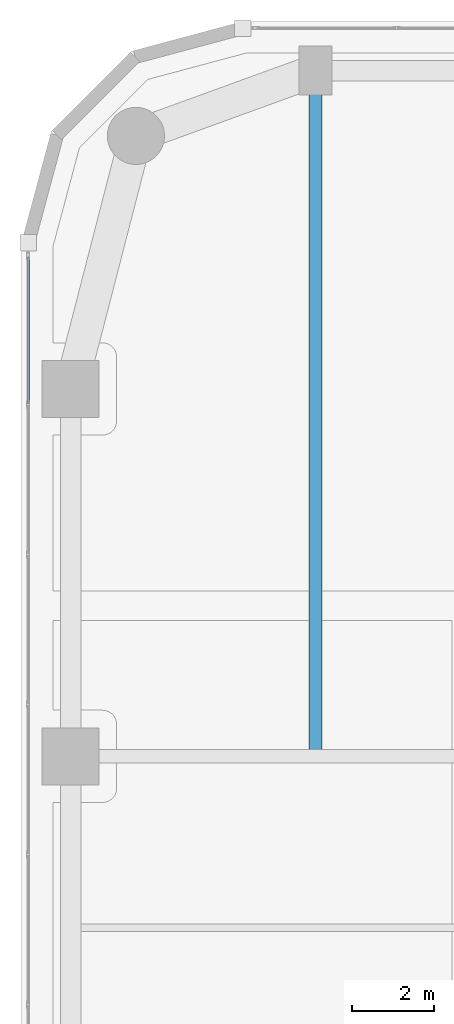
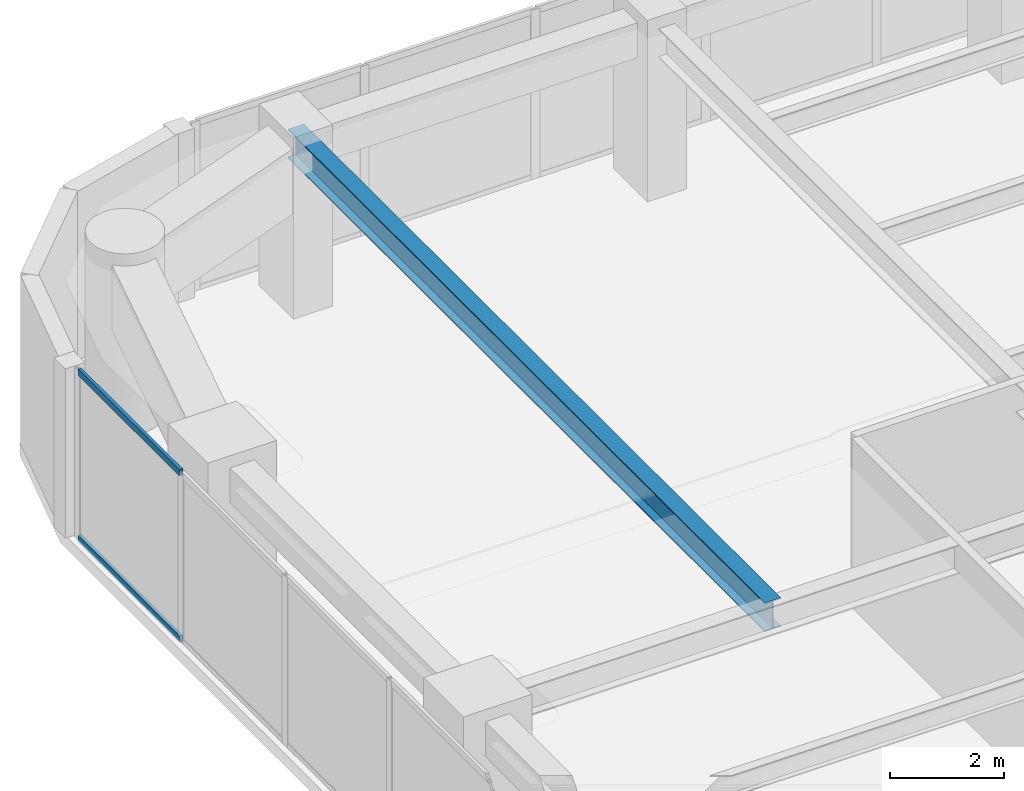
# One storey, part 10 of 24: 2 members, 1 beam, 1 element without a shape of its own.
"""IFC4 building model written with IfcOpenShell, lengths in metres."""

from ifc_helpers import new_model, si_unit, direction, frame, origin, origin_2d, place, context, subcontext, project, spatial, hollow_rectangle, i_section, extrude, material, layer, layer_set, material_profile, profile_set, type_object, element, aggregate, save


model = new_model("IFC4")

# Units and contexts
model_context = context("Model", 3, precision=1e-05, world=origin(), true_north=direction((0.0, 1.0)))
body_context = subcontext(model_context, "Body", "Model", "MODEL_VIEW")
ifc_project = project(units=[si_unit("LENGTHUNIT", "METRE"), si_unit("AREAUNIT", "SQUARE_METRE"), si_unit("VOLUMEUNIT", "CUBIC_METRE"), si_unit("PLANEANGLEUNIT", "RADIAN"), si_unit("MASSUNIT", "GRAM", prefix="KILO")], contexts=[model_context])

# Site, building, storey
site_placement = place(None, origin())
site = spatial("IfcSite", under=ifc_project, at=site_placement, CompositionType="ELEMENT")
building_placement = place(site_placement, origin())
building = spatial("IfcBuilding", under=site, at=building_placement, Name="Kiyonajd Concourse Tower", CompositionType="ELEMENT")
storey_placement = place(building_placement, frame((0.0, 0.0, 105.300048828125)))
storey = spatial("IfcBuildingStorey", under=building, at=storey_placement, Name="L27", CompositionType="ELEMENT", Elevation=105.300048828125)

# Beam
ifc_material_1 = material(Name="Steel ASTM A992 Grade 50", Category="steel")
ifc_material_profile_1 = material_profile(ifc_material_1, i_section(OverallWidth=0.326904296875, OverallDepth=0.6220703125, WebThickness=0.015380859375, FlangeThickness=0.0244140625, at=origin_2d()), Name="W610X195")
ifc_profile_set_1 = profile_set([ifc_material_profile_1], Name="Steel ASTM A992 Grade 50")
beam_type = type_object("IfcBeamType", Name="BM-TWR-610A", PredefinedType="BEAM", material=ifc_profile_set_1)
beam_placement = place(storey_placement, frame((25.199951171875, 44.39990234375, 3.328857421875), z_axis=(0.0, 1.0, 0.0), x_axis=(-1.0, 0.0, 0.0)))
element("IfcBeam", 1, at=beam_placement, inside=storey, type_object=beam_type, Name="L27 North Lease Girder", PredefinedType="BEAM", context=body_context, shape_type="SweptSolid", body=[
    extrude(i_section(OverallWidth=0.326904296875, OverallDepth=0.6220703125, WebThickness=0.015380859375, FlangeThickness=0.0244140625, at=origin_2d()), origin(), (0.0, 0.0, 1.0), 16.800048828125),
])

# Curtain wall, members
ifc_material_2 = material(Name="Thermally Broken Anodised Aluminium", Category="aluminium")
ifc_layer = layer(ifc_material_2, 0.179931640625)
ifc_layer_set = layer_set([ifc_layer], Name="Thermally Broken Anodised Aluminium")
curtain_wall_type = type_object("IfcCurtainWallType", Name="CW-SYS-03", PredefinedType="NOTDEFINED", material=ifc_layer_set)
curtain_wall_placement = place(storey_placement, origin())
curtain_wall = element("IfcCurtainWall", 2, at=curtain_wall_placement, inside=storey, type_object=curtain_wall_type, Name="L27 Unitised Curtain Wall CW3", PredefinedType="NOTDEFINED")
ifc_material_profile_2 = material_profile(ifc_material_2, hollow_rectangle(XDim=0.06494140625, YDim=0.139892578125, WallThickness=0.00390625, at=origin_2d()), Name="TRAN-65x140")
ifc_profile_set_2 = profile_set([ifc_material_profile_2], Name="Thermally Broken Anodised Aluminium")
member_type = type_object("IfcMemberType", Name="MB-CW-TRAN1", PredefinedType="USERDEFINED", material=ifc_profile_set_2)
member_1_placement = place(storey_placement, frame((18.159912109375, 53.04833984375, 0.032470703125), z_axis=(0.0, 1.0, 0.0), x_axis=(-1.0, 0.0, 0.0)))
member_1 = element("IfcMember", 3, at=member_1_placement, type_object=member_type, Name="CW3 transom 6.1", ObjectType="TRANSOM", PredefinedType="USERDEFINED", context=body_context, shape_type="SweptSolid", body=[
    extrude(hollow_rectangle(XDim=0.06494140625, YDim=0.139892578125, WallThickness=0.00390625, at=origin_2d()), origin(), (0.0, 0.0, 1.0), 3.575439453125),
])
member_2_placement = place(storey_placement, frame((18.159912109375, 53.04833984375, 3.607421875), z_axis=(0.0, 1.0, 0.0), x_axis=(-1.0, 0.0, 0.0)))
member_2 = element("IfcMember", 4, at=member_2_placement, type_object=member_type, Name="CW3 transom 6.2", ObjectType="TRANSOM", PredefinedType="USERDEFINED", context=body_context, shape_type="SweptSolid", body=[
    extrude(hollow_rectangle(XDim=0.06494140625, YDim=0.139892578125, WallThickness=0.00390625, at=origin_2d()), origin(), (0.0, 0.0, 1.0), 3.575439453125),
])
aggregate(curtain_wall, [member_1, member_2])

save(model, "model.ifc")
